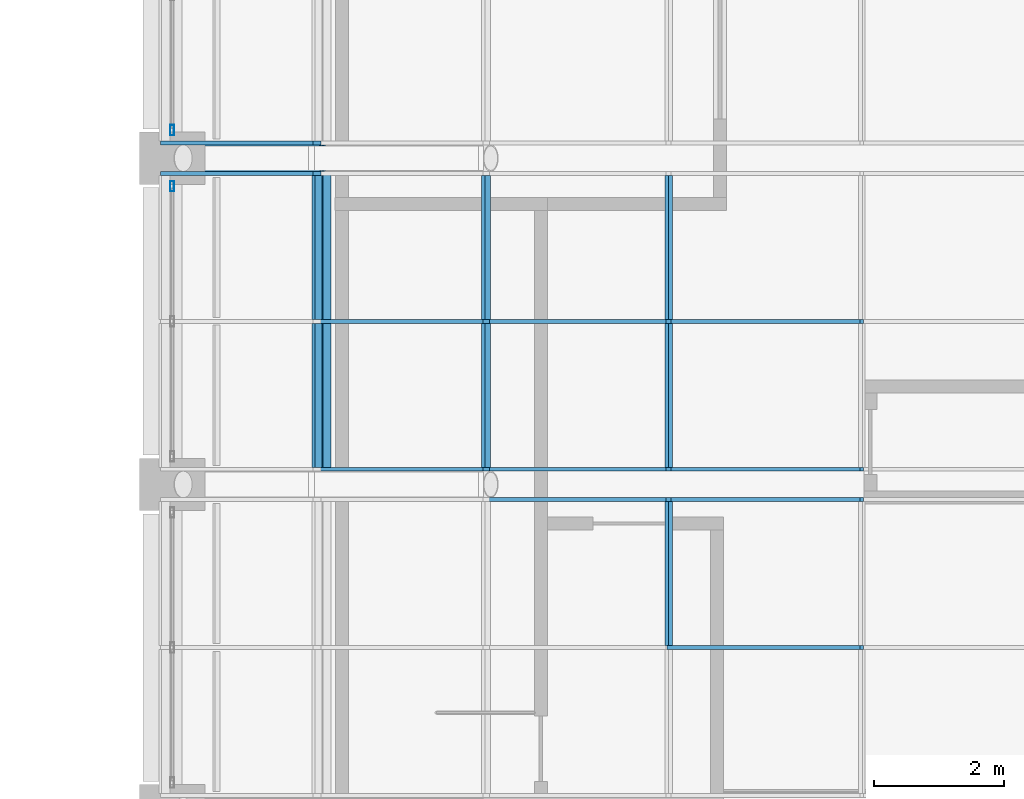
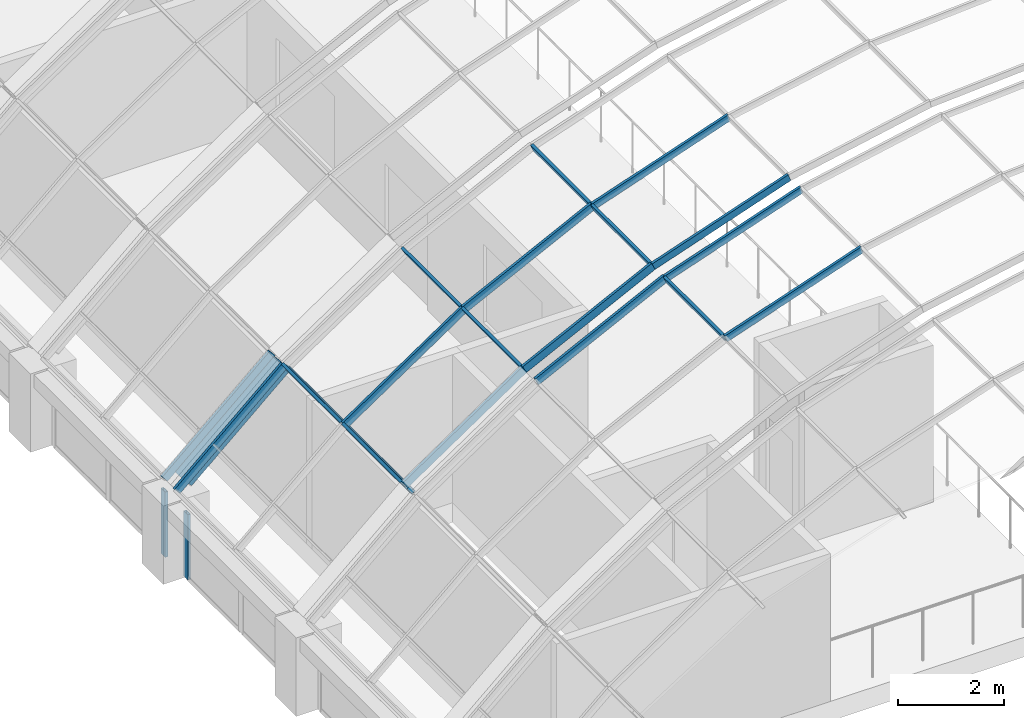
# One storey, part 39 of 182: 22 members, 5 elements without a shape of their own.
"""IFC4 building model written with IfcOpenShell, lengths in metres."""

from ifc_helpers import new_model, si_unit, direction, frame, origin, origin_2d, place, context, subcontext, project, spatial, rectangle, hollow_rectangle, hollow_circle, extrude, material, material_profile, profile_set, type_object, element, aggregate, save


model = new_model("IFC4")

# Units and contexts
model_context = context("Model", 3, precision=1e-05, world=origin(), true_north=direction((0.0, 1.0)))
body_context = subcontext(model_context, "Body", "Model", "MODEL_VIEW")
ifc_project = project(units=[si_unit("LENGTHUNIT", "METRE"), si_unit("AREAUNIT", "SQUARE_METRE"), si_unit("VOLUMEUNIT", "CUBIC_METRE"), si_unit("PLANEANGLEUNIT", "RADIAN"), si_unit("MASSUNIT", "GRAM", prefix="KILO")], contexts=[model_context])

# Site, building, storey
site_placement = place(None, origin())
site = spatial("IfcSite", under=ifc_project, at=site_placement, CompositionType="ELEMENT")
building_placement = place(site_placement, origin())
building = spatial("IfcBuilding", under=site, at=building_placement, Name="Okhra Congress Centre", CompositionType="ELEMENT")
storey_placement = place(building_placement, frame((0.0, 0.0, 7.199951171875)))
storey = spatial("IfcBuildingStorey", under=building, at=storey_placement, Name="L01", CompositionType="ELEMENT", Elevation=7.199951171875)

# Curtain wall, members
ifc_material_1 = material(Name="Aluminium frame with triple glazing", Category="aluminium")
curtain_wall_type_1 = type_object("IfcCurtainWallType", Name="Glazed vault bay curtain wall", PredefinedType="NOTDEFINED", material=ifc_material_1)
curtain_wall_1_placement = place(storey_placement, origin())
curtain_wall_1 = element("IfcCurtainWall", 1, at=curtain_wall_1_placement, inside=storey, type_object=curtain_wall_type_1, Name="Vault glazing bay 5", PredefinedType="NOTDEFINED")
ifc_material_2 = material(Name="Aluminium alloy 6063", Category="aluminium")
ifc_material_profile_1 = material_profile(ifc_material_2, rectangle(XDim=0.06005859375, YDim=0.159912109375, at=origin_2d()), Name="AL 60x160")
ifc_profile_set_1 = profile_set([ifc_material_profile_1], Name="Aluminium alloy 6063")
member_type_1 = type_object("IfcMemberType", Name="Aluminium mullion 60x160", PredefinedType="MULLION", material=ifc_profile_set_1)
member_1_placement = place(storey_placement, frame((163.11328125, 98.5, 7.12255859375), z_axis=(0.946065064306, 0.0, 0.323976687587), x_axis=(0.0, 1.0, 0.0)))
member_1 = element("IfcMember", 2, at=member_1_placement, type_object=member_type_1, Name="Vault mullion 5.2.4", PredefinedType="MULLION", context=body_context, shape_type="SweptSolid", body=[
    extrude(rectangle(XDim=0.06005859375, YDim=0.159912109375, at=origin_2d()), origin(), (0.0, 0.0, 1.0), 3.124267578125),
])
member_2_placement = place(storey_placement, frame((163.11328125, 100.766845703125, 7.12255859375), z_axis=(0.946065064306, 0.0, 0.323976687587), x_axis=(0.0, 1.0, 0.0)))
member_2 = element("IfcMember", 3, at=member_2_placement, type_object=member_type_1, Name="Vault mullion 5.3.4", PredefinedType="MULLION", context=body_context, shape_type="SweptSolid", body=[
    extrude(rectangle(XDim=0.06005859375, YDim=0.159912109375, at=origin_2d()), origin(), (0.0, 0.0, 1.0), 3.124267578125),
])

curtain_wall_2_placement = place(storey_placement, origin())
curtain_wall_2 = element("IfcCurtainWall", 4, at=curtain_wall_2_placement, inside=storey, type_object=curtain_wall_type_1, Name="Vault glazing bay 6", PredefinedType="NOTDEFINED")
member_3_placement = place(storey_placement, frame((163.11328125, 101.233154296875, 7.12255859375), z_axis=(0.946065064306, 0.0, 0.323976687587), x_axis=(0.0, 1.0, 0.0)))
member_3 = element("IfcMember", 5, at=member_3_placement, type_object=member_type_1, Name="Vault mullion 6.1.4", PredefinedType="MULLION", context=body_context, shape_type="SweptSolid", body=[
    extrude(rectangle(XDim=0.06005859375, YDim=0.159912109375, at=origin_2d()), origin(), (0.0, 0.0, 1.0), 3.124267578125),
])
member_4_placement = place(storey_placement, frame((163.11328125, 103.5, 7.12255859375), z_axis=(0.946065064306, 0.0, 0.323976687587), x_axis=(0.0, 1.0, 0.0)))
member_4 = element("IfcMember", 6, at=member_4_placement, type_object=member_type_1, Name="Vault mullion 6.2.4", PredefinedType="MULLION", context=body_context, shape_type="SweptSolid", body=[
    extrude(rectangle(XDim=0.06005859375, YDim=0.159912109375, at=origin_2d()), origin(), (0.0, 0.0, 1.0), 3.124267578125),
])

# Member
ifc_material_profile_2 = material_profile(ifc_material_2, rectangle(XDim=0.06005859375, YDim=0.179931640625, at=origin_2d()), Name="AL 60x180")
ifc_profile_set_2 = profile_set([ifc_material_profile_2], Name="Aluminium alloy 6063")
member_type_2 = type_object("IfcMemberType", Name="Aluminium mullion 60x180", PredefinedType="MULLION", material=ifc_profile_set_2)
member_5_placement = place(storey_placement, frame((160.311279296875, 100.766845703125, 5.7392578125), z_axis=(0.895253656313, 0.0, 0.445556832354), x_axis=(0.0, 1.0, 0.0)))
member_5 = element("IfcMember", 7, at=member_5_placement, type_object=member_type_2, Name="Vault mullion 5.3.3", PredefinedType="MULLION", context=body_context, shape_type="SweptSolid", body=[
    extrude(rectangle(XDim=0.06005859375, YDim=0.179931640625, at=origin_2d()), origin(), (0.0, 0.0, 1.0), 3.12548828125),
])

member_6_placement = place(storey_placement, frame((157.720703125, 101.233154296875, 3.990478515625), z_axis=(0.828827846338, 0.0, 0.559503709671), x_axis=(0.0, 1.0, 0.0)))
member_6 = element("IfcMember", 8, at=member_6_placement, type_object=member_type_2, Name="Vault mullion 6.1.2", PredefinedType="MULLION", context=body_context, shape_type="SweptSolid", body=[
    extrude(rectangle(XDim=0.06005859375, YDim=0.179931640625, at=origin_2d()), origin(), (0.0, 0.0, 1.0), 3.12548828125),
])

member_7_placement = place(storey_placement, frame((160.311279296875, 101.233154296875, 5.7392578125), z_axis=(0.895253656313, 0.0, 0.445556832354), x_axis=(0.0, 1.0, 0.0)))
member_7 = element("IfcMember", 9, at=member_7_placement, type_object=member_type_2, Name="Vault mullion 6.1.3", PredefinedType="MULLION", context=body_context, shape_type="SweptSolid", body=[
    extrude(rectangle(XDim=0.06005859375, YDim=0.179931640625, at=origin_2d()), origin(), (0.0, 0.0, 1.0), 3.12548828125),
])

member_8_placement = place(storey_placement, frame((157.720703125, 103.5, 3.990478515625), z_axis=(0.828827846338, 0.0, 0.559503709671), x_axis=(0.0, 1.0, 0.0)))
member_8 = element("IfcMember", 10, at=member_8_placement, type_object=member_type_2, Name="Vault mullion 6.2.2", PredefinedType="MULLION", context=body_context, shape_type="SweptSolid", body=[
    extrude(rectangle(XDim=0.06005859375, YDim=0.179931640625, at=origin_2d()), origin(), (0.0, 0.0, 1.0), 3.12548828125),
])

member_9_placement = place(storey_placement, frame((160.311279296875, 103.5, 5.7392578125), z_axis=(0.895253656313, 0.0, 0.445556832354), x_axis=(0.0, 1.0, 0.0)))
member_9 = element("IfcMember", 11, at=member_9_placement, type_object=member_type_2, Name="Vault mullion 6.2.3", PredefinedType="MULLION", context=body_context, shape_type="SweptSolid", body=[
    extrude(rectangle(XDim=0.06005859375, YDim=0.179931640625, at=origin_2d()), origin(), (0.0, 0.0, 1.0), 3.12548828125),
])

member_10_placement = place(storey_placement, frame((155.382568359375, 105.766845703125, 1.916015625), z_axis=(0.748025229923, 0.0, 0.663670291183), x_axis=(0.0, 1.0, 0.0)))
member_10 = element("IfcMember", 12, at=member_10_placement, type_object=member_type_2, Name="Vault mullion 6.3.1", PredefinedType="MULLION", context=body_context, shape_type="SweptSolid", body=[
    extrude(rectangle(XDim=0.06005859375, YDim=0.179931640625, at=origin_2d()), origin(), (0.0, 0.0, 1.0), 3.125732421875),
])

# Curtain wall, member
curtain_wall_3_placement = place(storey_placement, origin())
curtain_wall_3 = element("IfcCurtainWall", 13, at=curtain_wall_3_placement, inside=storey, type_object=curtain_wall_type_1, Name="Vault glazing bay 7", PredefinedType="NOTDEFINED")
member_11_placement = place(storey_placement, frame((155.382568359375, 106.233154296875, 1.916015625), z_axis=(0.748025229923, 0.0, 0.663670291183), x_axis=(0.0, 1.0, 0.0)))
member_11 = element("IfcMember", 14, at=member_11_placement, type_object=member_type_2, Name="Vault mullion 7.1.1", PredefinedType="MULLION", context=body_context, shape_type="SweptSolid", body=[
    extrude(rectangle(XDim=0.06005859375, YDim=0.179931640625, at=origin_2d()), origin(), (0.0, 0.0, 1.0), 3.125732421875),
])
aggregate(curtain_wall_3, [member_11])

# Member
ifc_material_profile_3 = material_profile(ifc_material_2, rectangle(XDim=0.06005859375, YDim=0.159912109375, at=origin_2d()), Name="AL 60x160 transom")
ifc_profile_set_3 = profile_set([ifc_material_profile_3], Name="Aluminium alloy 6063")
member_type_3 = type_object("IfcMemberType", Name="Aluminium transom 60x160", PredefinedType="USERDEFINED", material=ifc_profile_set_3)
member_12_placement = place(storey_placement, frame((163.11328125, 98.530029296875, 7.12255859375), z_axis=(0.0, 1.0, 0.0), x_axis=(-0.922668973833, 0.0, -0.38559300399)))
member_12 = element("IfcMember", 15, at=member_12_placement, type_object=member_type_3, Name="Vault transom 5.2.4", ObjectType="TRANSOM", PredefinedType="USERDEFINED", context=body_context, shape_type="SweptSolid", body=[
    extrude(rectangle(XDim=0.06005859375, YDim=0.159912109375, at=origin_2d()), origin(), (0.0, 0.0, 1.0), 2.206787109375),
])

aggregate(curtain_wall_1, [member_1, member_5, member_2, member_12])

member_13_placement = place(storey_placement, frame((163.11328125, 101.26318359375, 7.12255859375), z_axis=(0.0, 1.0, 0.0), x_axis=(-0.922668973833, 0.0, -0.38559300399)))
member_13 = element("IfcMember", 16, at=member_13_placement, type_object=member_type_3, Name="Vault transom 6.1.4", ObjectType="TRANSOM", PredefinedType="USERDEFINED", context=body_context, shape_type="SweptSolid", body=[
    extrude(rectangle(XDim=0.06005859375, YDim=0.159912109375, at=origin_2d()), origin(), (0.0, 0.0, 1.0), 2.206787109375),
])

member_14_placement = place(storey_placement, frame((163.11328125, 103.530029296875, 7.12255859375), z_axis=(0.0, 1.0, 0.0), x_axis=(-0.922668973833, 0.0, -0.38559300399)))
member_14 = element("IfcMember", 17, at=member_14_placement, type_object=member_type_3, Name="Vault transom 6.2.4", ObjectType="TRANSOM", PredefinedType="USERDEFINED", context=body_context, shape_type="SweptSolid", body=[
    extrude(rectangle(XDim=0.06005859375, YDim=0.159912109375, at=origin_2d()), origin(), (0.0, 0.0, 1.0), 2.206787109375),
])

ifc_material_profile_4 = material_profile(ifc_material_2, rectangle(XDim=0.06005859375, YDim=0.179931640625, at=origin_2d()), Name="AL 60x180 transom")
ifc_profile_set_4 = profile_set([ifc_material_profile_4], Name="Aluminium alloy 6063")
member_type_4 = type_object("IfcMemberType", Name="Aluminium transom 60x180", PredefinedType="USERDEFINED", material=ifc_profile_set_4)
member_15_placement = place(storey_placement, frame((157.720703125, 101.26318359375, 3.990478515625), z_axis=(0.0, 1.0, 0.0), x_axis=(-0.790145035185, 0.0, -0.612919915954)))
member_15 = element("IfcMember", 18, at=member_15_placement, type_object=member_type_4, Name="Vault transom 6.1.2", ObjectType="TRANSOM", PredefinedType="USERDEFINED", context=body_context, shape_type="SweptSolid", body=[
    extrude(rectangle(XDim=0.06005859375, YDim=0.179931640625, at=origin_2d()), origin(), (0.0, 0.0, 1.0), 2.206787109375),
])

member_16_placement = place(storey_placement, frame((160.311279296875, 101.26318359375, 5.7392578125), z_axis=(0.0, 1.0, 0.0), x_axis=(-0.86391685861, 0.0, -0.503634452167)))
member_16 = element("IfcMember", 19, at=member_16_placement, type_object=member_type_4, Name="Vault transom 6.1.3", ObjectType="TRANSOM", PredefinedType="USERDEFINED", context=body_context, shape_type="SweptSolid", body=[
    extrude(rectangle(XDim=0.06005859375, YDim=0.179931640625, at=origin_2d()), origin(), (0.0, 0.0, 1.0), 2.206787109375),
])

member_17_placement = place(storey_placement, frame((157.720703125, 103.530029296875, 3.990478515625), z_axis=(0.0, 1.0, 0.0), x_axis=(-0.790145035185, 0.0, -0.612919915954)))
member_17 = element("IfcMember", 20, at=member_17_placement, type_object=member_type_4, Name="Vault transom 6.2.2", ObjectType="TRANSOM", PredefinedType="USERDEFINED", context=body_context, shape_type="SweptSolid", body=[
    extrude(rectangle(XDim=0.06005859375, YDim=0.179931640625, at=origin_2d()), origin(), (0.0, 0.0, 1.0), 2.206787109375),
])

member_18_placement = place(storey_placement, frame((160.311279296875, 103.530029296875, 5.7392578125), z_axis=(0.0, 1.0, 0.0), x_axis=(-0.86391685861, 0.0, -0.503634452167)))
member_18 = element("IfcMember", 21, at=member_18_placement, type_object=member_type_4, Name="Vault transom 6.2.3", ObjectType="TRANSOM", PredefinedType="USERDEFINED", context=body_context, shape_type="SweptSolid", body=[
    extrude(rectangle(XDim=0.06005859375, YDim=0.179931640625, at=origin_2d()), origin(), (0.0, 0.0, 1.0), 2.206787109375),
])

aggregate(curtain_wall_2, [member_6, member_7, member_3, member_8, member_9, member_4, member_10, member_15, member_16, member_13, member_17, member_18, member_14])

# Curtain wall, member
ifc_material_3 = material(Name="Aluminium curtain wall, triple glazing", Category="aluminium")
curtain_wall_type_2 = type_object("IfcCurtainWallType", Name="Curtain wall 2100 module", PredefinedType="NOTDEFINED", material=ifc_material_3)
curtain_wall_4_placement = place(storey_placement, origin())
curtain_wall_4 = element("IfcCurtainWall", 22, at=curtain_wall_4_placement, inside=storey, type_object=curtain_wall_type_2, Name="West bay 6 clerestory glazing", PredefinedType="NOTDEFINED")
ifc_material_4 = material(Name="Aluminium alloy EN AW-6063 T66", Category="aluminium")
ifc_material_profile_5 = material_profile(ifc_material_4, hollow_rectangle(XDim=0.06005859375, YDim=0.159912109375, WallThickness=0.00390625, at=origin_2d()), Name="RHS 60x160x4")
ifc_profile_set_5 = profile_set([ifc_material_profile_5], Name="Aluminium alloy EN AW-6063 T66")
member_type_5 = type_object("IfcMemberType", Name="Curtain wall mullion 60x160", PredefinedType="MULLION", material=ifc_profile_set_5)
member_19_placement = place(storey_placement, frame((155.5, 105.570068359375, 0.0), z_axis=(0.0, 0.0, 1.0), x_axis=(-1.0, 0.0, 0.0)))
member_19 = element("IfcMember", 23, at=member_19_placement, type_object=member_type_5, Name="CW4 mullion 3", PredefinedType="MULLION", context=body_context, shape_type="SweptSolid", body=[
    extrude(hollow_rectangle(XDim=0.06005859375, YDim=0.159912109375, WallThickness=0.00390625, at=origin_2d()), origin(), (0.0, 0.0, 1.0), 1.5),
])
aggregate(curtain_wall_4, [member_19])

curtain_wall_5_placement = place(storey_placement, origin())
curtain_wall_5 = element("IfcCurtainWall", 24, at=curtain_wall_5_placement, inside=storey, type_object=curtain_wall_type_2, Name="West bay 7 clerestory glazing", PredefinedType="NOTDEFINED")
member_20_placement = place(storey_placement, frame((155.5, 106.429931640625, 0.0), z_axis=(0.0, 0.0, 1.0), x_axis=(-1.0, 0.0, 0.0)))
member_20 = element("IfcMember", 25, at=member_20_placement, type_object=member_type_5, Name="CW4 mullion 1", PredefinedType="MULLION", context=body_context, shape_type="SweptSolid", body=[
    extrude(hollow_rectangle(XDim=0.06005859375, YDim=0.159912109375, WallThickness=0.00390625, at=origin_2d()), origin(), (0.0, 0.0, 1.0), 1.5),
])
aggregate(curtain_wall_5, [member_20])

# Members
ifc_material_5 = material(Name="Steel S355J2", Category="steel")
ifc_material_profile_6 = material_profile(ifc_material_5, hollow_rectangle(XDim=0.10009765625, YDim=0.199951171875, WallThickness=0.008056640625, at=origin_2d()), Name="RHS 200x100x8")
ifc_profile_set_6 = profile_set([ifc_material_profile_6], Name="Steel S355J2")
member_type_6 = type_object("IfcMemberType", Name="Steel purlin RHS 200x100x8", PredefinedType="PURLIN", material=ifc_profile_set_6)
member_21_placement = place(storey_placement, frame((157.837158203125, 101.203125, 3.84033203125), z_axis=(0.0, 1.0, 0.0), x_axis=(-0.790145035185, 0.0, -0.612919915954)))
element("IfcMember", 26, at=member_21_placement, inside=storey, type_object=member_type_6, Name="Vault purlin 6.1", PredefinedType="PURLIN", context=body_context, shape_type="SweptSolid", body=[
    extrude(hollow_rectangle(XDim=0.10009765625, YDim=0.199951171875, WallThickness=0.008056640625, at=origin_2d()), origin(), (0.0, 0.0, 1.0), 4.59375),
])
ifc_material_profile_7 = material_profile(ifc_material_5, hollow_circle(Radius=0.203125, WallThickness=0.01611328125, at=origin_2d()), Name="CHS 406.4x16")
ifc_profile_set_7 = profile_set([ifc_material_profile_7], Name="Steel S355J2")
member_type_7 = type_object("IfcMemberType", Name="Tubular steel arch rib CHS 406x16", PredefinedType="USERDEFINED", material=ifc_profile_set_7)
member_22_placement = place(storey_placement, frame((155.67138671875, 106.0, 1.9521484375), z_axis=(0.74800221093, 0.0, 0.663696235069), x_axis=(0.0, 1.0, 0.0)))
element("IfcMember", 27, at=member_22_placement, inside=storey, type_object=member_type_7, Name="Arch rib 7.1", ObjectType="Arch rib", PredefinedType="USERDEFINED", context=body_context, shape_type="SweptSolid", body=[
    extrude(hollow_circle(Radius=0.203125, WallThickness=0.01611328125, at=origin_2d()), origin(), (0.0, 0.0, 1.0), 2.861083984375),
])

save(model, "model.ifc")
